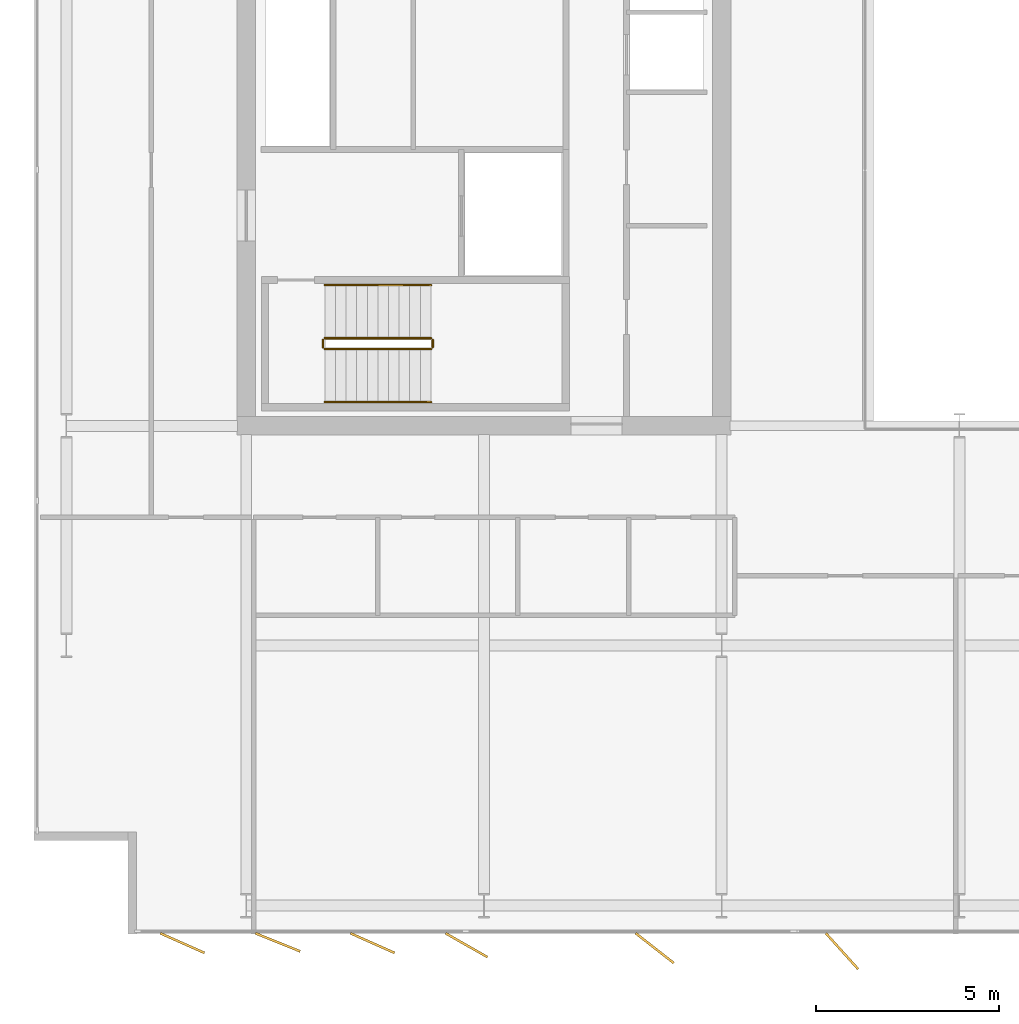
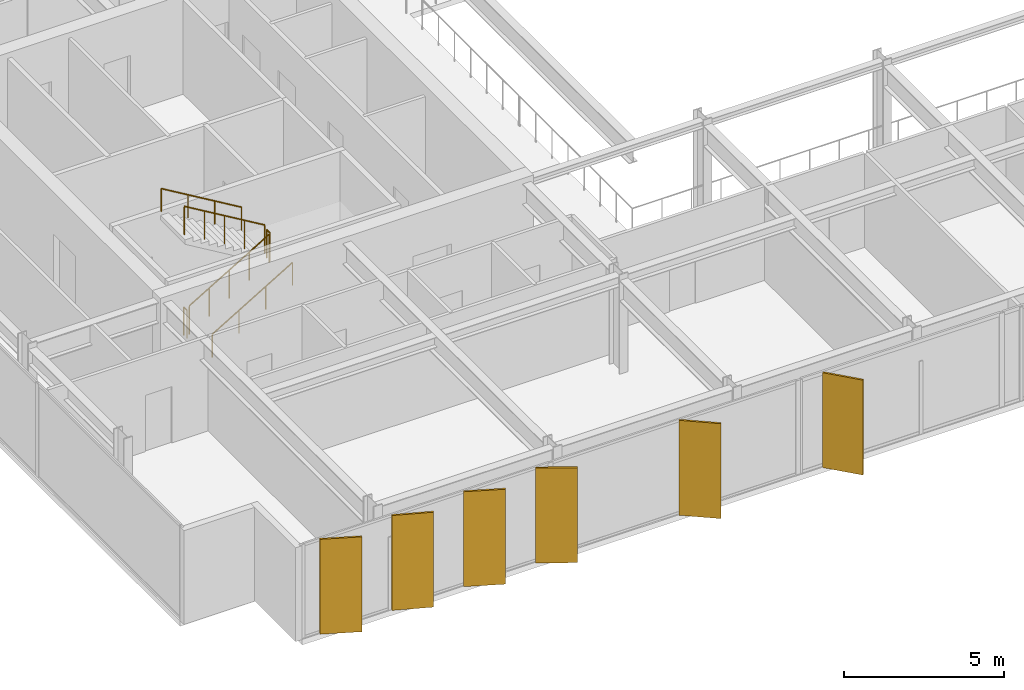
# One storey, part 17 of 20: 6 railings, 6 shading devices.
"""IFC4 building model written with IfcOpenShell, lengths in metres."""

from ifc_helpers import new_model, si_unit, direction, frame, origin, origin_2d, place, context, subcontext, project, spatial, rectangle, circle, extrude, material, layer, layer_set, type_object, element, save


model = new_model("IFC4")

# Units and contexts
model_context = context("Model", 3, precision=1e-05, world=origin(), true_north=direction((0.0, 1.0)))
body_context = subcontext(model_context, "Body", "Model", "MODEL_VIEW")
ifc_project = project(units=[si_unit("LENGTHUNIT", "METRE"), si_unit("AREAUNIT", "SQUARE_METRE"), si_unit("VOLUMEUNIT", "CUBIC_METRE"), si_unit("PLANEANGLEUNIT", "RADIAN"), si_unit("MASSUNIT", "GRAM", prefix="KILO")], contexts=[model_context])

# Site, building, storey
site_placement = place(None, origin())
site = spatial("IfcSite", under=ifc_project, at=site_placement, CompositionType="ELEMENT")
building_placement = place(site_placement, origin())
building = spatial("IfcBuilding", under=site, at=building_placement, Name="Putna Gate Headquarters", CompositionType="ELEMENT")
storey_placement = place(building_placement, frame((0.0, 0.0, 274.60009765625)))
storey = spatial("IfcBuildingStorey", under=building, at=storey_placement, Name="L69", CompositionType="ELEMENT", Elevation=274.60009765625)

# Railings
ifc_material_1 = material(Name="Powder-coated steel stair guardrail", Category="steel")
railing_type_1 = type_object("IfcRailingType", Name="RAIL-STAIR-GUARD-1100", PredefinedType="GUARDRAIL", material=ifc_material_1)
railing_1_placement = place(storey_placement, frame((15.14990234375, 21.10009765625, 0.172607421875)))
element("IfcRailing", 1, at=railing_1_placement, inside=storey, type_object=railing_type_1, Name="L69 ST1 stair guard 1", PredefinedType="GUARDRAIL", context=body_context, shape_type="SweptSolid", body=[
    extrude(circle(Radius=0.02392578125, at=origin_2d()), frame((0.0, 0.0, 1.076171875), z_axis=(0.859160404282, 0.0, 0.51170636083), x_axis=(0.0, 1.0, 0.0)), (0.0, 0.0, 1.0), 3.37548828125),
    extrude(circle(Radius=0.02099609375, at=origin_2d()), origin(), (0.0, 0.0, 1.0), 1.052001953125),
    extrude(circle(Radius=0.02099609375, at=origin_2d()), frame((0.72509765625, 0.0, 0.431884765625)), (0.0, 0.0, 1.0), 1.052001953125),
    extrude(circle(Radius=0.02099609375, at=origin_2d()), frame((1.4501953125, 0.0, 0.86376953125)), (0.0, 0.0, 1.0), 1.052001953125),
    extrude(circle(Radius=0.02099609375, at=origin_2d()), frame((2.175048828125, 0.0, 1.29541015625)), (0.0, 0.0, 1.0), 1.052001953125),
    extrude(circle(Radius=0.02099609375, at=origin_2d()), frame((2.900146484375, 0.0, 1.727294921875)), (0.0, 0.0, 1.0), 1.052001953125),
])
railing_2_placement = place(storey_placement, frame((18.10009765625, 21.14990234375, 1.89990234375)))
element("IfcRailing", 2, at=railing_2_placement, inside=storey, type_object=railing_type_1, Name="L69 ST1 stair guard 2", PredefinedType="GUARDRAIL", context=body_context, shape_type="SweptSolid", body=[
    extrude(circle(Radius=0.02392578125, at=origin_2d()), frame((0.0, 0.0, 1.076171875), z_axis=(0.0, 1.0, 0.0), x_axis=(-1.0, 0.0, 0.0)), (0.0, 0.0, 1.0), 0.2001953125),
    extrude(circle(Radius=0.02099609375, at=origin_2d()), origin(), (0.0, 0.0, 1.0), 1.052001953125),
    extrude(circle(Radius=0.02099609375, at=origin_2d()), frame((0.0, 0.2001953125, 0.0)), (0.0, 0.0, 1.0), 1.052001953125),
])
railing_3_placement = place(storey_placement, frame((18.050048828125, 21.39990234375, 2.072509765625)))
element("IfcRailing", 3, at=railing_3_placement, inside=storey, type_object=railing_type_1, Name="L69 ST1 stair guard 3", PredefinedType="GUARDRAIL", context=body_context, shape_type="SweptSolid", body=[
    extrude(circle(Radius=0.02392578125, at=origin_2d()), frame((0.0, 0.0, 1.076171875), z_axis=(-0.859160404282, 0.0, 0.51170636083), x_axis=(0.0, -1.0, 0.0)), (0.0, 0.0, 1.0), 3.37548828125),
    extrude(circle(Radius=0.02099609375, at=origin_2d()), origin(), (0.0, 0.0, 1.0), 1.052001953125),
    extrude(circle(Radius=0.02099609375, at=origin_2d()), frame((-0.72509765625, 0.0, 0.431884765625)), (0.0, 0.0, 1.0), 1.052001953125),
    extrude(circle(Radius=0.02099609375, at=origin_2d()), frame((-1.4501953125, 0.0, 0.86376953125)), (0.0, 0.0, 1.0), 1.052001953125),
    extrude(circle(Radius=0.02099609375, at=origin_2d()), frame((-2.175048828125, 0.0, 1.29541015625)), (0.0, 0.0, 1.0), 1.052001953125),
    extrude(circle(Radius=0.02099609375, at=origin_2d()), frame((-2.900146484375, 0.0, 1.727294921875)), (0.0, 0.0, 1.0), 1.052001953125),
])
railing_4_placement = place(storey_placement, frame((15.10009765625, 21.14990234375, 0.0)))
element("IfcRailing", 4, at=railing_4_placement, inside=storey, type_object=railing_type_1, Name="L69 ST1 stair guard 4", PredefinedType="GUARDRAIL", context=body_context, shape_type="SweptSolid", body=[
    extrude(circle(Radius=0.02392578125, at=origin_2d()), frame((0.0, 0.0, 1.076171875), z_axis=(0.0, 1.0, 0.0), x_axis=(-1.0, 0.0, 0.0)), (0.0, 0.0, 1.0), 0.2001953125),
    extrude(circle(Radius=0.02099609375, at=origin_2d()), origin(), (0.0, 0.0, 1.0), 1.052001953125),
    extrude(circle(Radius=0.02099609375, at=origin_2d()), frame((0.0, 0.2001953125, 0.0)), (0.0, 0.0, 1.0), 1.052001953125),
])
ifc_material_2 = material(Name="Brushed stainless steel handrail", Category="steel")
railing_type_2 = type_object("IfcRailingType", Name="RAIL-STAIR-HAND-900", PredefinedType="HANDRAIL", material=ifc_material_2)
railing_5_placement = place(storey_placement, frame((15.14990234375, 19.64990234375, 0.172607421875)))
element("IfcRailing", 5, at=railing_5_placement, inside=storey, type_object=railing_type_2, Name="L69 ST1 stair handrail 1", PredefinedType="HANDRAIL", context=body_context, shape_type="SweptSolid", body=[
    extrude(circle(Radius=0.02392578125, at=origin_2d()), frame((0.0, 0.0, 0.8759765625), z_axis=(0.859160404282, 0.0, 0.51170636083), x_axis=(0.0, 1.0, 0.0)), (0.0, 0.0, 1.0), 3.37548828125),
    extrude(circle(Radius=0.02099609375, at=origin_2d()), origin(), (0.0, 0.0, 1.0), 0.851806640625),
    extrude(circle(Radius=0.02099609375, at=origin_2d()), frame((0.966796875, 0.0, 0.57568359375)), (0.0, 0.0, 1.0), 0.851806640625),
    extrude(circle(Radius=0.02099609375, at=origin_2d()), frame((1.933349609375, 0.0, 1.151611328125)), (0.0, 0.0, 1.0), 0.851806640625),
    extrude(circle(Radius=0.02099609375, at=origin_2d()), frame((2.900146484375, 0.0, 1.727294921875)), (0.0, 0.0, 1.0), 0.851806640625),
])
railing_6_placement = place(storey_placement, frame((18.050048828125, 22.85009765625, 2.072509765625)))
element("IfcRailing", 6, at=railing_6_placement, inside=storey, type_object=railing_type_2, Name="L69 ST1 stair handrail 2", PredefinedType="HANDRAIL", context=body_context, shape_type="SweptSolid", body=[
    extrude(circle(Radius=0.02392578125, at=origin_2d()), frame((0.0, 0.0, 0.8759765625), z_axis=(-0.859160404282, 0.0, 0.51170636083), x_axis=(0.0, -1.0, 0.0)), (0.0, 0.0, 1.0), 3.37548828125),
    extrude(circle(Radius=0.02099609375, at=origin_2d()), origin(), (0.0, 0.0, 1.0), 0.851806640625),
    extrude(circle(Radius=0.02099609375, at=origin_2d()), frame((-0.966796875, 0.0, 0.57568359375)), (0.0, 0.0, 1.0), 0.851806640625),
    extrude(circle(Radius=0.02099609375, at=origin_2d()), frame((-1.933349609375, 0.0, 1.151611328125)), (0.0, 0.0, 1.0), 0.851806640625),
    extrude(circle(Radius=0.02099609375, at=origin_2d()), frame((-2.900146484375, 0.0, 1.727294921875)), (0.0, 0.0, 1.0), 0.851806640625),
])

# Shading devices
ifc_material_3 = material(Name="Anodised architectural bronze aluminium fin", Category="aluminium")
ifc_layer = layer(ifc_material_3, 0.06494140625)
ifc_layer_set = layer_set([ifc_layer], Name="Anodised architectural bronze aluminium fin")
shading_device_type = type_object("IfcShadingDeviceType", Name="SHADE-BRONZE-FIN-1320", PredefinedType="USERDEFINED", material=ifc_layer_set)
for number, where, z_axis, x_axis, name in (
    (7, (11.2529296875, 4.856689453125, -0.02001953125), (0.0, 0.0, 1.0), (0.913687379856, -0.40641773078, 0.0), "L69 Bronze Vertical Shading Fin S1"),
    (8, (13.86181640625, 4.877685546875, -0.02001953125), (0.0, 0.0, 1.0), (0.927183854567, -0.374606593416, 0.0), "L69 Bronze Vertical Shading Fin S2"),
    (9, (16.452880859375, 4.856689453125, -0.02001953125), (0.0, 0.0, 1.0), (0.913687379856, -0.40641773078, 0.0), "L69 Bronze Vertical Shading Fin S3"),
    (10, (19.023681640625, 4.798828125, -0.02001953125), (0.0, 0.0, 1.0), (0.869322458298, -0.494245347472, 0.0), "L69 Bronze Vertical Shading Fin S4"),
    (11, (24.169677734375, 4.71826171875, -0.02001953125), (0.0, 0.0, 1.0), (0.787473187632, -0.616348909921, 0.0), "L69 Bronze Vertical Shading Fin S5"),
    (12, (29.29150390625, 4.634521484375, -0.02001953125), (0.0, 0.0, 1.0), (0.669130606359, -0.743144825477, 0.0), "L69 Bronze Vertical Shading Fin S6"),
):
    element("IfcShadingDevice", number, at=place(storey_placement, frame(where, z_axis=z_axis, x_axis=x_axis)), inside=storey, type_object=shading_device_type, Name=name, ObjectType="FIN", PredefinedType="USERDEFINED", context=body_context, shape_type="SweptSolid", body=[
        extrude(rectangle(XDim=1.320068359375, YDim=0.06494140625, at=origin_2d()), origin(), (0.0, 0.0, 1.0), 3.6279296875),
    ])

save(model, "model.ifc")
